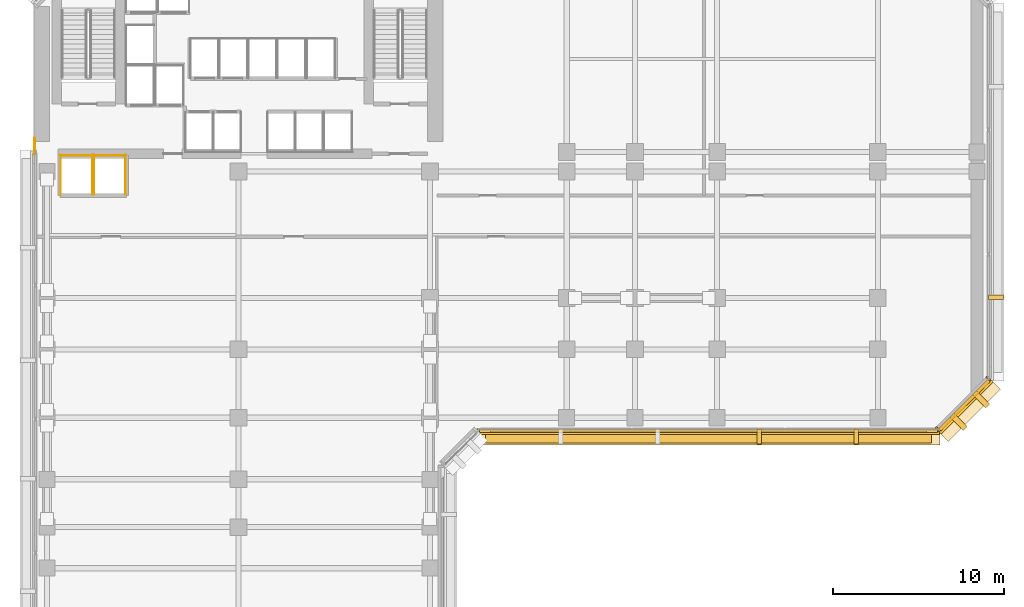
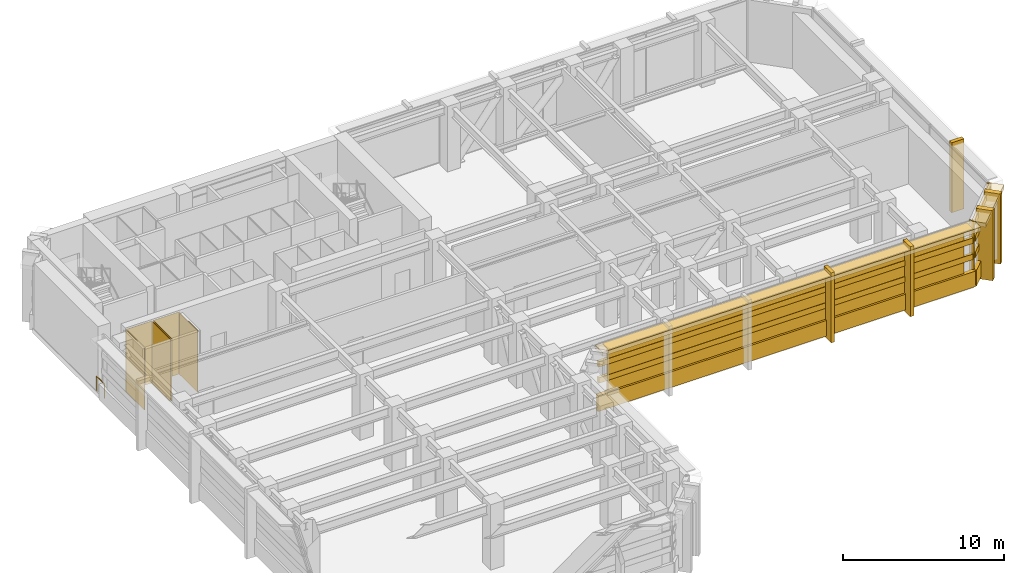
# One storey, part 10 of 13: 22 coverings, 2 shading devices, 1 railing.
"""IFC4 building model written with IfcOpenShell, lengths in metres."""

import ifcopenshell
import ifcopenshell.guid

model = None  # the IFC model being written
_history = None  # IfcOwnerHistory: only IFC2X3 demands one
_inside = {}  # id of a spatial element -> (the spatial element, [elements in it])
_under = {}  # id of a project, library or spatial element -> (it, [spatial elements below it])
_declared = {}  # id of a project -> (the project, [libraries it declares])
_typed = {}  # id of a type object -> (the type object, [elements of that type])
_made_of = {}  # id of a material, layer set ... -> (it, [elements and type objects made of it])


def new_model(schema):
    """Start an empty IFC model of exactly this schema.

    Asked for "IFC4X3", IfcOpenShell would pick the latest addendum, in which some entities
    have other attributes; the version numbers below select the first issue.
    IFC2X3 requires an IfcOwnerHistory on every rooted entity: one is made here for all.
    """
    global model, _history
    if schema == "IFC4X3":
        model = ifcopenshell.file(schema_version=(4, 3, 0, 0))
    else:
        model = ifcopenshell.file(schema=schema)
    _inside.clear()
    _under.clear()
    _declared.clear()
    _typed.clear()
    _made_of.clear()
    _history = None
    if model.schema == "IFC2X3":
        org = make("IfcOrganization", Name="unknown")
        user = make(
            "IfcPersonAndOrganization",
            ThePerson=make("IfcPerson", FamilyName="unknown"),
            TheOrganization=org,
        )
        app = make(
            "IfcApplication",
            ApplicationDeveloper=org,
            Version="unknown",
            ApplicationFullName="unknown",
            ApplicationIdentifier="unknown",
        )
        _history = make(
            "IfcOwnerHistory",
            OwningUser=user,
            OwningApplication=app,
            ChangeAction="ADDED",
            CreationDate=0,
        )
    return model


def make(cls, **values):
    """One entity of the class cls with the attributes given. An attribute that is None is left unset."""
    return model.create_entity(
        cls, **{name: value for name, value in values.items() if value is not None}
    )


def rooted(cls, **values):
    """An entity with a GlobalId (a new one), such as an element, a storey or a relation."""
    return make(cls, GlobalId=ifcopenshell.guid.new(), OwnerHistory=_history, **values)


def si_unit(unit_type, name, prefix=None):
    """IfcSIUnit, for example si_unit("LENGTHUNIT", "METRE", prefix="MILLI")."""
    return make("IfcSIUnit", UnitType=unit_type, Prefix=prefix, Name=name)


def assignment(units):
    """IfcUnitAssignment: the units of a project."""
    return None if units is None else make("IfcUnitAssignment", Units=units)


def point(xyz):
    """IfcCartesianPoint."""
    return None if xyz is None else make("IfcCartesianPoint", Coordinates=xyz)


def direction(xyz):
    """IfcDirection."""
    return None if xyz is None else make("IfcDirection", DirectionRatios=xyz)


def frame(location, z_axis=None, x_axis=None):
    """IfcAxis2Placement3D, a coordinate frame: its origin and axes. An axis left out is left unset."""
    return make(
        "IfcAxis2Placement3D",
        Location=point(location),
        Axis=direction(z_axis),
        RefDirection=direction(x_axis),
    )


def frame_2d(location, x_axis=None):
    """IfcAxis2Placement2D, a coordinate frame in the plane: its origin and x axis."""
    return make(
        "IfcAxis2Placement2D", Location=point(location), RefDirection=direction(x_axis)
    )


def origin():
    """The frame at (0, 0, 0) with its axes left unset."""
    return frame((0.0, 0.0, 0.0))


def origin_2d():
    """The frame at (0, 0) in the plane with its x axis left unset."""
    return frame_2d((0.0, 0.0))


def place(relative_to, where):
    """IfcLocalPlacement: puts the frame where relative to a parent placement (None: the world)."""
    return make(
        "IfcLocalPlacement", PlacementRelTo=relative_to, RelativePlacement=where
    )


def context(
    kind, dimensions, precision=None, world=None, true_north=None, identifier=None
):
    """IfcGeometricRepresentationContext, for example the 3D "Model" context."""
    return make(
        "IfcGeometricRepresentationContext",
        ContextIdentifier=identifier,
        ContextType=kind,
        CoordinateSpaceDimension=dimensions,
        Precision=precision,
        WorldCoordinateSystem=world,
        TrueNorth=true_north,
    )


def subcontext(parent, identifier, kind, view, scale=None):
    """IfcGeometricRepresentationSubContext, for example "Body" below "Model"."""
    return make(
        "IfcGeometricRepresentationSubContext",
        ContextIdentifier=identifier,
        ContextType=kind,
        ParentContext=parent,
        TargetScale=scale,
        TargetView=view,
    )


def project(units=None, contexts=None):
    """IfcProject with its units and contexts."""
    return rooted(
        "IfcProject",
        Name="project",
        RepresentationContexts=contexts,
        UnitsInContext=assignment(units),
    )


def spatial(cls, under=None, at=None, **own):
    """A site, building, storey or space (cls), placed at a placement, below another one or the project."""
    s = rooted(cls, ObjectPlacement=at, **own)
    if under is not None:
        _under.setdefault(under.id(), (under, []))[1].append(s)
    return s


def polyline(points):
    """IfcPolyline through the points."""
    return make("IfcPolyline", Points=[point(p) for p in points])


def profile(cls, at=None, kind="AREA", **sizes):
    """A parametric profile (cls). Its sizes go by their IFC names, for example OverallWidth=200.0."""
    return make(cls, ProfileType=kind, Position=at, **sizes)


def rectangle(**sizes):
    """IfcRectangleProfileDef."""
    return profile("IfcRectangleProfileDef", **sizes)


def circle(**sizes):
    """IfcCircleProfileDef."""
    return profile("IfcCircleProfileDef", **sizes)


def outline(outer, holes=None, kind="AREA"):
    """IfcArbitraryClosedProfileDef: a profile drawn as a closed curve; with holes, ...WithVoids."""
    if holes is None:
        return make("IfcArbitraryClosedProfileDef", ProfileType=kind, OuterCurve=outer)
    return make(
        "IfcArbitraryProfileDefWithVoids",
        ProfileType=kind,
        OuterCurve=outer,
        InnerCurves=holes,
    )


def extrude(swept, where, along, depth):
    """IfcExtrudedAreaSolid: the profile swept, set in the frame where, extruded along a direction by depth."""
    return make(
        "IfcExtrudedAreaSolid",
        SweptArea=swept,
        Position=where,
        ExtrudedDirection=direction(along),
        Depth=depth,
    )


def shape(context_of_items, identifier, shape_type, items):
    """IfcShapeRepresentation: the items that make up one representation, for example the "Body"."""
    return make(
        "IfcShapeRepresentation",
        ContextOfItems=context_of_items,
        RepresentationIdentifier=identifier,
        RepresentationType=shape_type,
        Items=items,
    )


def material(Name=None, Category=None):
    """IfcMaterial."""
    return make("IfcMaterial", Name=Name, Category=Category)


def layer(
    of_material, thickness, ventilated=None, Name=None, Category=None, Priority=None
):
    """IfcMaterialLayer: one layer of a wall or slab, of a material (None: an air gap)."""
    return make(
        "IfcMaterialLayer",
        Material=of_material,
        LayerThickness=thickness,
        IsVentilated=ventilated,
        Name=Name,
        Category=Category,
        Priority=Priority,
    )


def layer_set(layers, Name=None):
    """IfcMaterialLayerSet."""
    return make("IfcMaterialLayerSet", MaterialLayers=layers, LayerSetName=Name)


def made_of(thing, what):
    """Note that an element or type object is made of a material, layer set ...; save() writes the relation."""
    if what is not None:
        _made_of.setdefault(what.id(), (what, []))[1].append(thing)
    return thing


def type_object(cls, material=None, **own):
    """A type object (cls), such as IfcWallType, which elements share."""
    return made_of(rooted(cls, **own), material)


def element(
    cls,
    number,
    at=None,
    inside=None,
    cuts=None,
    type_object=None,
    material=None,
    context=None,
    identifier="Body",
    shape_type=None,
    held_by="IfcProductDefinitionShape",
    body=None,
    shapes=None,
    **own,
):
    """One element of the class cls, such as IfcWall. Its Tag is "e" and its number.

    at: its placement. inside: the storey or other place that contains it. cuts: it is an
    opening in that element (IfcRelVoidsElement). A single representation is given by context,
    identifier, shape_type and body (its items); several are given by shapes. held_by: the class
    of the entity that holds the representations. save() writes the other relations.
    """
    e = rooted(cls, Tag="e%d" % number, ObjectPlacement=at, **own)
    if body is not None:
        shapes = [shape(context, identifier, shape_type, body)]
    if shapes is not None:
        e.Representation = make(held_by, Representations=shapes)
    if inside is not None:
        _inside.setdefault(inside.id(), (inside, []))[1].append(e)
    if cuts is not None:
        rooted(
            "IfcRelVoidsElement", RelatingBuildingElement=cuts, RelatedOpeningElement=e
        )
    if type_object is not None:
        _typed.setdefault(type_object.id(), (type_object, []))[1].append(e)
    return made_of(e, material)


def aggregate(whole, parts):
    """IfcRelAggregates: a whole, such as a stair, and the parts it consists of."""
    return rooted("IfcRelAggregates", RelatingObject=whole, RelatedObjects=parts)


def save(model, path):
    """Write the relations noted so far, then the file.

    IfcRelAggregates (storeys below a building ...), IfcRelContainedInSpatialStructure (elements
    in a storey), IfcRelDefinesByType, IfcRelAssociatesMaterial and IfcRelDeclares: one each for
    every whole, place, type object, material and project.
    """
    for whole, parts in _under.values():
        aggregate(whole, parts)
    for where, things in _inside.values():
        rooted(
            "IfcRelContainedInSpatialStructure",
            RelatedElements=things,
            RelatingStructure=where,
        )
    for kind, things in _typed.values():
        rooted("IfcRelDefinesByType", RelatedObjects=things, RelatingType=kind)
    for what, things in _made_of.values():
        rooted("IfcRelAssociatesMaterial", RelatedObjects=things, RelatingMaterial=what)
    for by, libraries in _declared.values():
        rooted("IfcRelDeclares", RelatingContext=by, RelatedDefinitions=libraries)
    model.write(path)


model = new_model("IFC4")

# Units and contexts
model_context = context("Model", 3, precision=1e-05, world=origin(), true_north=direction((0.0, 1.0)))
body_context = subcontext(model_context, "Body", "Model", "MODEL_VIEW")
ifc_project = project(units=[si_unit("LENGTHUNIT", "METRE"), si_unit("AREAUNIT", "SQUARE_METRE"), si_unit("VOLUMEUNIT", "CUBIC_METRE"), si_unit("PLANEANGLEUNIT", "RADIAN"), si_unit("MASSUNIT", "GRAM", prefix="KILO")], contexts=[model_context])

# Site, building, storey
site_placement = place(None, origin())
site = spatial("IfcSite", under=ifc_project, at=site_placement, CompositionType="ELEMENT")
building_placement = place(site_placement, origin())
building = spatial("IfcBuilding", under=site, at=building_placement, Name="Kefirva Bronze Tower", CompositionType="ELEMENT")
storey_placement = place(building_placement, frame((0.0, 0.0, 93.719970703125)))
storey = spatial("IfcBuildingStorey", under=building, at=storey_placement, Name="L22", CompositionType="ELEMENT", Elevation=93.719970703125)

# Coverings
ifc_material_1 = material(Name="Bronze anodised aluminium", Category="aluminium")
ifc_layer_1 = layer(ifc_material_1, 0.02001953125, Name="Bronze anodised aluminium")
ifc_layer_set_1 = layer_set([ifc_layer_1], Name="Bronze anodised aluminium")
covering_type_1 = type_object("IfcCoveringType", Name="Anodised Bronze Spandrel Cladding 20mm", PredefinedType="CLADDING", material=ifc_layer_set_1)
covering_1_placement = place(storey_placement, frame((39.5, 17.9599609375, -0.16015625), z_axis=(0.0, 0.0, 1.0), x_axis=(1.0, 0.0, 0.0)))
element("IfcCovering", 1, at=covering_1_placement, inside=storey, type_object=covering_type_1, Name="L22 Streamline Horizontal Spandrel Band 4", PredefinedType="CLADDING", context=body_context, shape_type="SweptSolid", body=[
    extrude(rectangle(XDim=27.0400390625, YDim=0.280029296875, at=origin_2d()), origin(), (0.0, 0.0, 1.0), 1.179931640625),
])
for number, where, z_axis, x_axis, name in (
    (2, (39.5, 18.0400390625, 1.858154296875), (0.0, 0.0, 1.0), (1.0, 0.0, 0.0), "L22 Recessed Zone-Break Bronze Louvre Band 4-1"),
    (3, (39.5, 18.0400390625, 3.080078125), (0.0, 0.0, 1.0), (1.0, 0.0, 0.0), "L22 Recessed Zone-Break Bronze Louvre Band 4-2"),
):
    element("IfcCovering", number, at=place(storey_placement, frame(where, z_axis=z_axis, x_axis=x_axis)), inside=storey, type_object=covering_type_1, Name=name, PredefinedType="CLADDING", context=body_context, shape_type="SweptSolid", body=[
        extrude(rectangle(XDim=26.800048828125, YDim=0.199951171875, at=origin_2d()), origin(), (0.0, 0.0, 1.0), 0.419921875),
    ])
covering_2_placement = place(storey_placement, frame((54.507080078125, 19.492919921875, 4.280029296875), z_axis=(0.0, 0.0, 1.0), x_axis=(0.707106781187, 0.707106781187, 0.0)))
element("IfcCovering", 4, at=covering_2_placement, inside=storey, type_object=covering_type_1, Name="L22 Bronze Spandrel Cladding 4", PredefinedType="CLADDING", context=body_context, shape_type="SweptSolid", body=[
    extrude(rectangle(XDim=3.719482421875, YDim=0.02001953125, at=origin_2d()), origin(), (0.0, 0.0, 1.0), 0.39990234375),
])
for number, where, z_axis, x_axis, name in (
    (5, (52.91162109375, 18.137939453125, 0.0), (0.0, 0.0, 1.0), (0.707106781187, 0.707106781187, 0.0), "L22 Facade Joint Closure Panel 4S"),
    (6, (55.862060546875, 21.08837890625, 0.0), (0.0, 0.0, 1.0), (0.707106781187, 0.707106781187, 0.0), "L22 Facade Joint Closure Panel 4E"),
):
    element("IfcCovering", number, at=place(storey_placement, frame(where, z_axis=z_axis, x_axis=x_axis)), inside=storey, type_object=covering_type_1, Name=name, PredefinedType="CLADDING", context=body_context, shape_type="SweptSolid", body=[
        extrude(rectangle(XDim=0.10009765625, YDim=0.320068359375, at=origin_2d()), origin(), (0.0, 0.0, 1.0), 4.699951171875),
    ])
covering_3_placement = place(storey_placement, frame((54.5283203125, 19.4716796875, -0.16015625), z_axis=(0.0, 0.0, 1.0), x_axis=(0.707106781187, 0.707106781187, 0.0)))
element("IfcCovering", 7, at=covering_3_placement, inside=storey, type_object=covering_type_1, Name="L22 Streamline Horizontal Spandrel Band 5", PredefinedType="CLADDING", context=body_context, shape_type="SweptSolid", body=[
    extrude(rectangle(XDim=4.28271484375, YDim=0.280029296875, at=origin_2d()), origin(), (0.0, 0.0, 1.0), 1.179931640625),
])
for number, where, z_axis, x_axis, name in (
    (8, (54.4716796875, 19.5283203125, 1.858154296875), (0.0, 0.0, 1.0), (0.707106781187, 0.707106781187, 0.0), "L22 Recessed Zone-Break Bronze Louvre Band 5-1"),
    (9, (54.4716796875, 19.5283203125, 3.080078125), (0.0, 0.0, 1.0), (0.707106781187, 0.707106781187, 0.0), "L22 Recessed Zone-Break Bronze Louvre Band 5-2"),
):
    element("IfcCovering", number, at=place(storey_placement, frame(where, z_axis=z_axis, x_axis=x_axis)), inside=storey, type_object=covering_type_1, Name=name, PredefinedType="CLADDING", context=body_context, shape_type="SweptSolid", body=[
        extrude(rectangle(XDim=4.04248046875, YDim=0.199951171875, at=origin_2d()), origin(), (0.0, 0.0, 1.0), 0.419921875),
    ])
covering_4_placement = place(storey_placement, origin())
element("IfcCovering", 10, at=covering_4_placement, inside=storey, type_object=covering_type_1, Name="L22 Lift OB1 Hoistway Liner N", PredefinedType="CLADDING", context=body_context, shape_type="SweptSolid", body=[
    extrude(outline(polyline([(1.580078125, 34.139892578125), (3.469970703125, 34.139892578125), (3.469970703125, 34.159912109375), (1.580078125, 34.159912109375), (1.580078125, 34.139892578125)])), origin(), (0.0, 0.0, 1.0), 4.699951171875),
])
covering_5_placement = place(storey_placement, origin())
element("IfcCovering", 11, at=covering_5_placement, inside=storey, type_object=covering_type_1, Name="L22 Lift OB1 Hoistway Liner W", PredefinedType="CLADDING", context=body_context, shape_type="SweptSolid", body=[
    extrude(outline(polyline([(1.590087890625, 31.830078125), (1.610107421875, 31.830078125), (1.610107421875, 34.169921875), (1.590087890625, 34.169921875), (1.590087890625, 31.830078125)])), origin(), (0.0, 0.0, 1.0), 4.699951171875),
])
covering_6_placement = place(storey_placement, origin())
element("IfcCovering", 12, at=covering_6_placement, inside=storey, type_object=covering_type_1, Name="L22 Lift OB1 Hoistway Liner E", PredefinedType="CLADDING", context=body_context, shape_type="SweptSolid", body=[
    extrude(outline(polyline([(3.43994140625, 31.830078125), (3.4599609375, 31.830078125), (3.4599609375, 34.169921875), (3.43994140625, 34.169921875), (3.43994140625, 31.830078125)])), origin(), (0.0, 0.0, 1.0), 4.699951171875),
])
covering_7_placement = place(storey_placement, origin())
element("IfcCovering", 13, at=covering_7_placement, inside=storey, type_object=covering_type_1, Name="L22 Lift OB2 Hoistway Liner N", PredefinedType="CLADDING", context=body_context, shape_type="SweptSolid", body=[
    extrude(outline(polyline([(3.530029296875, 34.139892578125), (5.419921875, 34.139892578125), (5.419921875, 34.159912109375), (3.530029296875, 34.159912109375), (3.530029296875, 34.139892578125)])), origin(), (0.0, 0.0, 1.0), 4.699951171875),
])
covering_8_placement = place(storey_placement, origin())
element("IfcCovering", 14, at=covering_8_placement, inside=storey, type_object=covering_type_1, Name="L22 Lift OB2 Hoistway Liner W", PredefinedType="CLADDING", context=body_context, shape_type="SweptSolid", body=[
    extrude(outline(polyline([(3.5400390625, 31.830078125), (3.56005859375, 31.830078125), (3.56005859375, 34.169921875), (3.5400390625, 34.169921875), (3.5400390625, 31.830078125)])), origin(), (0.0, 0.0, 1.0), 4.699951171875),
])
covering_9_placement = place(storey_placement, origin())
element("IfcCovering", 15, at=covering_9_placement, inside=storey, type_object=covering_type_1, Name="L22 Lift OB2 Hoistway Liner E", PredefinedType="CLADDING", context=body_context, shape_type="SweptSolid", body=[
    extrude(outline(polyline([(5.389892578125, 31.830078125), (5.409912109375, 31.830078125), (5.409912109375, 34.169921875), (5.389892578125, 34.169921875), (5.389892578125, 31.830078125)])), origin(), (0.0, 0.0, 1.0), 4.699951171875),
])

# Shading device
ifc_layer_2 = layer(ifc_material_1, 0.090087890625, Name="Bronze anodised aluminium")
ifc_layer_set_2 = layer_set([ifc_layer_2], Name="Bronze anodised aluminium")
shading_device_type_1 = type_object("IfcShadingDeviceType", Name="Horizontal Bronze Sunshade Band 750mm", PredefinedType="JALOUSIE", material=ifc_layer_set_2)
shading_device_1_placement = place(storey_placement, frame((39.5, 17.705078125, 4.59521484375), z_axis=(0.0, 0.0, 1.0), x_axis=(1.0, 0.0, 0.0)))
element("IfcShadingDevice", 16, at=shading_device_1_placement, inside=storey, type_object=shading_device_type_1, Name="L22 Horizontal Bronze Sunshade Band 4", PredefinedType="JALOUSIE", context=body_context, shape_type="SweptSolid", body=[
    extrude(rectangle(XDim=26.090087890625, YDim=0.75, at=origin_2d()), origin(), (0.0, 0.0, 1.0), 0.090087890625),
])

# Railing
ifc_material_2 = material(Name="Stainless steel 316", Category="steel")
railing_type = type_object("IfcRailingType", Name="Interior Stair Guardrail 1100mm", PredefinedType="GUARDRAIL", material=ifc_material_2)
railing_placement = place(storey_placement, frame((0.080078125, 34.199951171875, 0.0)))
element("IfcRailing", 17, at=railing_placement, inside=storey, type_object=railing_type, Name="L22 West Core Junction Guardrail", PredefinedType="GUARDRAIL", context=body_context, shape_type="SweptSolid", body=[
    extrude(circle(Radius=0.02392578125, at=origin_2d()), frame((0.0, 0.0, 1.076171875), z_axis=(0.0, 1.0, 0.0), x_axis=(-1.0, 0.0, 0.0)), (0.0, 0.0, 1.0), 0.949951171875),
    extrude(circle(Radius=0.02099609375, at=origin_2d()), origin(), (0.0, 0.0, 1.0), 1.052001953125),
    extrude(circle(Radius=0.02099609375, at=origin_2d()), frame((0.0, 0.949951171875, 0.0)), (0.0, 0.0, 1.0), 1.052001953125),
])

# Shading device
ifc_layer_3 = layer(ifc_material_1, 0.159912109375, Name="Bronze anodised aluminium")
ifc_layer_set_3 = layer_set([ifc_layer_3], Name="Bronze anodised aluminium")
shading_device_type_2 = type_object("IfcShadingDeviceType", Name="Recessed Zone-Break Acoustic Louvre Screen", PredefinedType="SHUTTER", material=ifc_layer_set_3)
shading_device_2_placement = place(storey_placement, frame((39.5, 18.0400390625, 0.25), z_axis=(0.0, 0.0, 1.0), x_axis=(1.0, 0.0, 0.0)))
element("IfcShadingDevice", 18, at=shading_device_2_placement, inside=storey, type_object=shading_device_type_2, Name="L22 Acoustic Plant Louvre Screen 4", PredefinedType="SHUTTER", context=body_context, shape_type="SweptSolid", body=[
    extrude(rectangle(XDim=25.489990234375, YDim=0.159912109375, at=origin_2d()), origin(), (0.0, 0.0, 1.0), 4.199951171875),
])

# Coverings
ifc_layer_4 = layer(ifc_material_1, 0.179931640625, Name="Bronze anodised aluminium")
ifc_layer_set_4 = layer_set([ifc_layer_4], Name="Bronze anodised aluminium")
covering_type_2 = type_object("IfcCoveringType", Name="Streamline Bronze Sunshade Eyebrow Cladding 180mm", PredefinedType="CLADDING", material=ifc_layer_set_4)
covering_10_placement = place(storey_placement, frame((39.5, 17.68994140625, 4.3798828125), z_axis=(0.0, 0.0, 1.0), x_axis=(1.0, 0.0, 0.0)))
element("IfcCovering", 19, at=covering_10_placement, inside=storey, type_object=covering_type_2, Name="L22 Streamline Bronze Sunshade Eyebrow 4", PredefinedType="CLADDING", context=body_context, shape_type="SweptSolid", body=[
    extrude(rectangle(XDim=27.080078125, YDim=0.93994140625, at=origin_2d()), origin(), (0.0, 0.0, 1.0), 0.320068359375),
])
covering_11_placement = place(storey_placement, frame((54.71923828125, 19.28076171875, 4.3798828125), z_axis=(0.0, 0.0, 1.0), x_axis=(0.707106781187, 0.707106781187, 0.0)))
element("IfcCovering", 20, at=covering_11_placement, inside=storey, type_object=covering_type_2, Name="L22 Streamline Bronze Sunshade Eyebrow 5", PredefinedType="CLADDING", context=body_context, shape_type="SweptSolid", body=[
    extrude(rectangle(XDim=4.322509765625, YDim=0.93994140625, at=origin_2d()), origin(), (0.0, 0.0, 1.0), 0.320068359375),
])
ifc_layer_5 = layer(ifc_material_1, 0.260009765625, Name="Bronze anodised aluminium")
ifc_layer_set_5 = layer_set([ifc_layer_5], Name="Bronze anodised aluminium")
covering_type_3 = type_object("IfcCoveringType", Name="Unbroken Bronze Buttress Fin Cladding 260mm", PredefinedType="CLADDING", material=ifc_layer_set_5)
for number, where, z_axis, x_axis, name in (
    (21, (42.469970703125, 17.699951171875, -0.35009765625), (0.0, 0.0, 1.0), (1.0, 0.0, 0.0), "L22 Unbroken Vertical Bronze Rib Fin 11"),
    (22, (48.139892578125, 17.699951171875, -0.35009765625), (0.0, 0.0, 1.0), (1.0, 0.0, 0.0), "L22 Unbroken Vertical Bronze Rib Fin 12"),
):
    element("IfcCovering", number, at=place(storey_placement, frame(where, z_axis=z_axis, x_axis=x_axis)), inside=storey, type_object=covering_type_3, Name=name, PredefinedType="CLADDING", context=body_context, shape_type="SweptSolid", body=[
        extrude(rectangle(XDim=0.260009765625, YDim=0.8798828125, at=origin_2d()), origin(), (0.0, 0.0, 1.0), 5.300048828125),
    ])
for number, where, z_axis, x_axis, name in (
    (23, (54.122802734375, 18.55712890625, -0.35009765625), (0.0, 0.0, 1.0), (0.707106781187, 0.707106781187, 0.0), "L22 Chamfered Corner Buttress Fin Cladding 13"),
    (24, (55.44287109375, 19.877197265625, -0.35009765625), (0.0, 0.0, 1.0), (0.707106781187, 0.707106781187, 0.0), "L22 Chamfered Corner Buttress Fin Cladding 14"),
):
    element("IfcCovering", number, at=place(storey_placement, frame(where, z_axis=z_axis, x_axis=x_axis)), inside=storey, type_object=covering_type_3, Name=name, PredefinedType="CLADDING", context=body_context, shape_type="SweptSolid", body=[
        extrude(rectangle(XDim=0.340087890625, YDim=1.080078125, at=origin_2d()), origin(), (0.0, 0.0, 1.0), 5.300048828125),
    ])
covering_12_placement = place(storey_placement, frame((56.300048828125, 25.840087890625, -0.35009765625), z_axis=(0.0, 0.0, 1.0), x_axis=(0.0, 1.0, 0.0)))
element("IfcCovering", 25, at=covering_12_placement, inside=storey, type_object=covering_type_3, Name="L22 Unbroken Vertical Bronze Rib Fin 15", PredefinedType="CLADDING", context=body_context, shape_type="SweptSolid", body=[
    extrude(rectangle(XDim=0.260009765625, YDim=0.8798828125, at=origin_2d()), origin(), (0.0, 0.0, 1.0), 5.300048828125),
])

save(model, "model.ifc")
